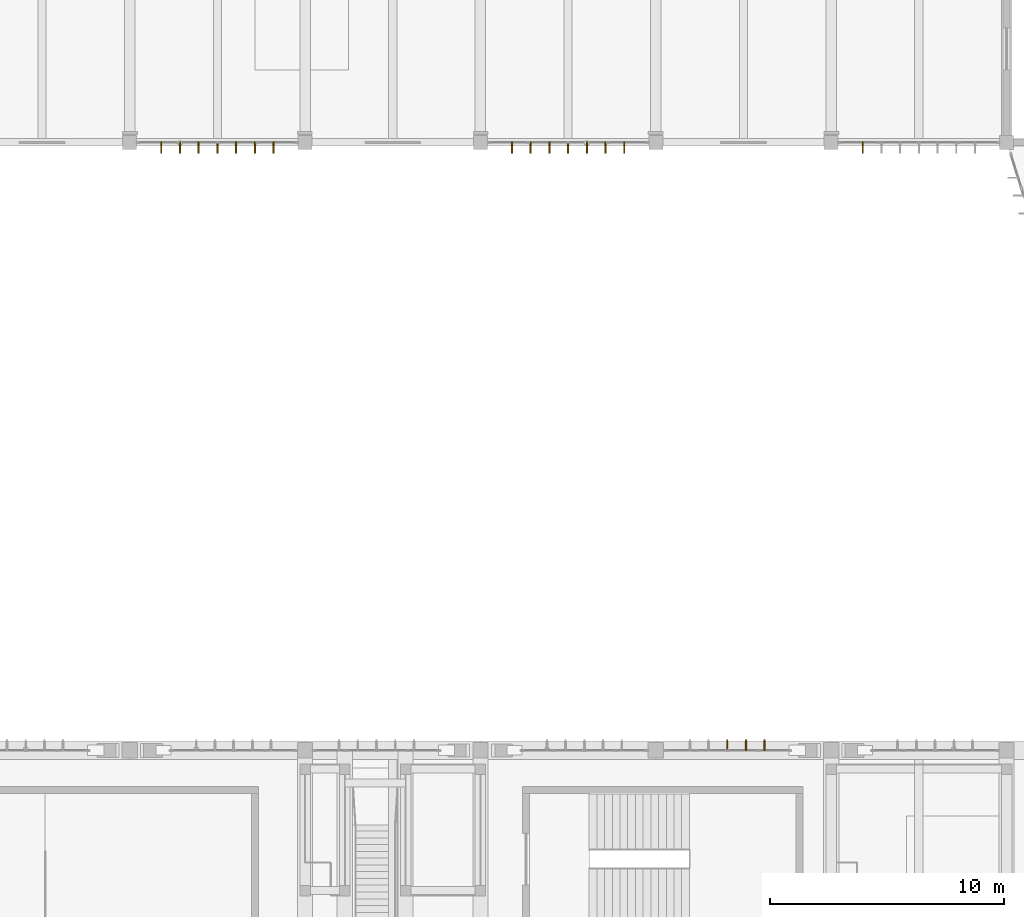
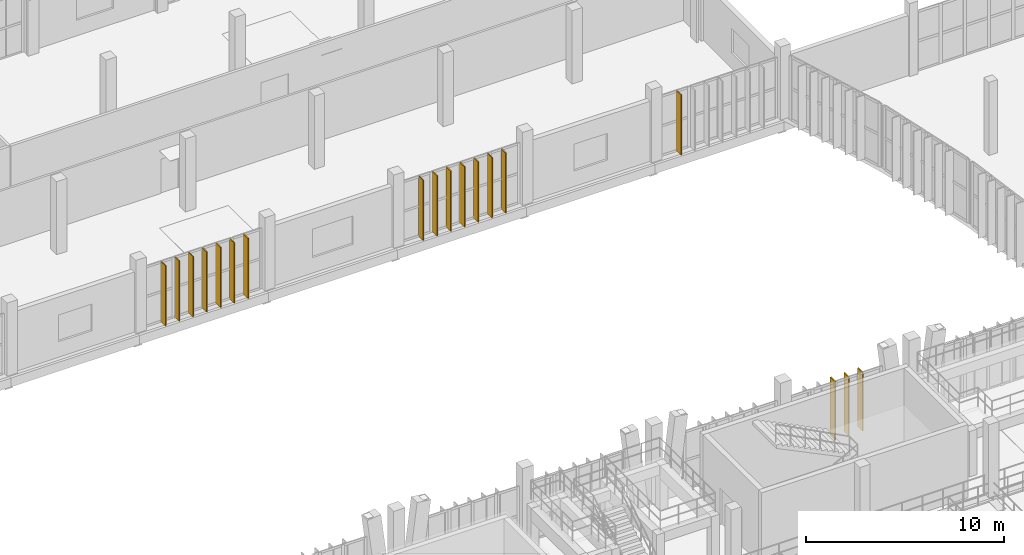
# One storey, part 75 of 81: 18 shading devices.
"""IFC4 building model written with IfcOpenShell, lengths in metres."""

from ifc_helpers import new_model, si_unit, direction, frame, origin, origin_2d, place, context, subcontext, project, spatial, rectangle, extrude, material, material_profile, profile_set, type_object, element, save


model = new_model("IFC4")

# Units and contexts
model_context = context("Model", 3, precision=1e-05, world=origin(), true_north=direction((0.0, 1.0)))
body_context = subcontext(model_context, "Body", "Model", "MODEL_VIEW")
ifc_project = project(units=[si_unit("LENGTHUNIT", "METRE"), si_unit("AREAUNIT", "SQUARE_METRE"), si_unit("VOLUMEUNIT", "CUBIC_METRE"), si_unit("PLANEANGLEUNIT", "RADIAN"), si_unit("MASSUNIT", "GRAM", prefix="KILO")], contexts=[model_context])

# Site, building, storey
site_placement = place(None, origin())
site = spatial("IfcSite", under=ifc_project, at=site_placement, CompositionType="ELEMENT")
building_placement = place(site_placement, origin())
building = spatial("IfcBuilding", under=site, at=building_placement, Name="Vourika Railside Aquatics Centre", CompositionType="ELEMENT")
storey_placement = place(building_placement, frame((0.0, 0.0, 4.800048828125)))
storey = spatial("IfcBuildingStorey", under=building, at=storey_placement, Name="L01", CompositionType="ELEMENT", Elevation=4.800048828125)

# Shading devices
ifc_material = material(Name="Bronze-anodized extruded aluminium", Category="aluminium")
ifc_material_profile = material_profile(ifc_material, rectangle(XDim=0.06005859375, YDim=0.47998046875, at=origin_2d()), Name="ALU-FIN 60x480")
ifc_profile_set = profile_set([ifc_material_profile], Name="Bronze-anodized extruded aluminium")
shading_device_type = type_object("IfcShadingDeviceType", Name="SHD-FIN-F48A", PredefinedType="USERDEFINED", material=ifc_profile_set)
for number, where, z_axis, x_axis, name in (
    (1, (121.554931640625, 66.215087890625, 0.0), (0.0, 0.0, 1.0), (1.0, 0.0, 0.0), "Vertical Solar Fin VSF-0275"),
    (2, (122.35498046875, 66.215087890625, 0.0), (0.0, 0.0, 1.0), (1.0, 0.0, 0.0), "Vertical Solar Fin VSF-0276"),
    (3, (123.155029296875, 66.215087890625, 0.0), (0.0, 0.0, 1.0), (1.0, 0.0, 0.0), "Vertical Solar Fin VSF-0277"),
):
    element("IfcShadingDevice", number, at=place(storey_placement, frame(where, z_axis=z_axis, x_axis=x_axis)), inside=storey, type_object=shading_device_type, Name=name, ObjectType="FIN", PredefinedType="USERDEFINED", context=body_context, shape_type="SweptSolid", body=[
        extrude(rectangle(XDim=0.06005859375, YDim=0.47998046875, at=origin_2d()), origin(), (0.0, 0.0, 1.0), 3.599853515625),
    ])
for number, where, z_axis, x_axis, name in (
    (4, (97.35009765625, 91.784912109375, 0.0), (0.0, 0.0, 1.0), (-1.0, 0.0, 0.0), "Vertical Solar Fin VSF-0810"),
    (5, (98.14990234375, 91.784912109375, 0.0), (0.0, 0.0, 1.0), (-1.0, 0.0, 0.0), "Vertical Solar Fin VSF-0811"),
    (6, (98.949951171875, 91.784912109375, 0.0), (0.0, 0.0, 1.0), (-1.0, 0.0, 0.0), "Vertical Solar Fin VSF-0812"),
    (7, (99.75, 91.784912109375, 0.0), (0.0, 0.0, 1.0), (-1.0, 0.0, 0.0), "Vertical Solar Fin VSF-0813"),
    (8, (100.550048828125, 91.784912109375, 0.0), (0.0, 0.0, 1.0), (-1.0, 0.0, 0.0), "Vertical Solar Fin VSF-0814"),
    (9, (101.35009765625, 91.784912109375, 0.0), (0.0, 0.0, 1.0), (-1.0, 0.0, 0.0), "Vertical Solar Fin VSF-0815"),
    (10, (102.14990234375, 91.784912109375, 0.0), (0.0, 0.0, 1.0), (-1.0, 0.0, 0.0), "Vertical Solar Fin VSF-0816"),
    (11, (112.35009765625, 91.784912109375, 0.0), (0.0, 0.0, 1.0), (-1.0, 0.0, 0.0), "Vertical Solar Fin VSF-0817"),
    (12, (113.14990234375, 91.784912109375, 0.0), (0.0, 0.0, 1.0), (-1.0, 0.0, 0.0), "Vertical Solar Fin VSF-0818"),
    (13, (113.949951171875, 91.784912109375, 0.0), (0.0, 0.0, 1.0), (-1.0, 0.0, 0.0), "Vertical Solar Fin VSF-0819"),
    (14, (114.75, 91.784912109375, 0.0), (0.0, 0.0, 1.0), (-1.0, 0.0, 0.0), "Vertical Solar Fin VSF-0820"),
    (15, (115.550048828125, 91.784912109375, 0.0), (0.0, 0.0, 1.0), (-1.0, 0.0, 0.0), "Vertical Solar Fin VSF-0821"),
    (16, (116.35009765625, 91.784912109375, 0.0), (0.0, 0.0, 1.0), (-1.0, 0.0, 0.0), "Vertical Solar Fin VSF-0822"),
    (17, (117.14990234375, 91.784912109375, 0.0), (0.0, 0.0, 1.0), (-1.0, 0.0, 0.0), "Vertical Solar Fin VSF-0823"),
    (18, (127.35009765625, 91.784912109375, 0.0), (0.0, 0.0, 1.0), (-1.0, 0.0, 0.0), "Vertical Solar Fin VSF-0824"),
):
    element("IfcShadingDevice", number, at=place(storey_placement, frame(where, z_axis=z_axis, x_axis=x_axis)), inside=storey, type_object=shading_device_type, Name=name, ObjectType="FIN", PredefinedType="USERDEFINED", context=body_context, shape_type="SweptSolid", body=[
        extrude(rectangle(XDim=0.06005859375, YDim=0.47998046875, at=origin_2d()), origin(), (0.0, 0.0, 1.0), 3.699951171875),
    ])

save(model, "model.ifc")
